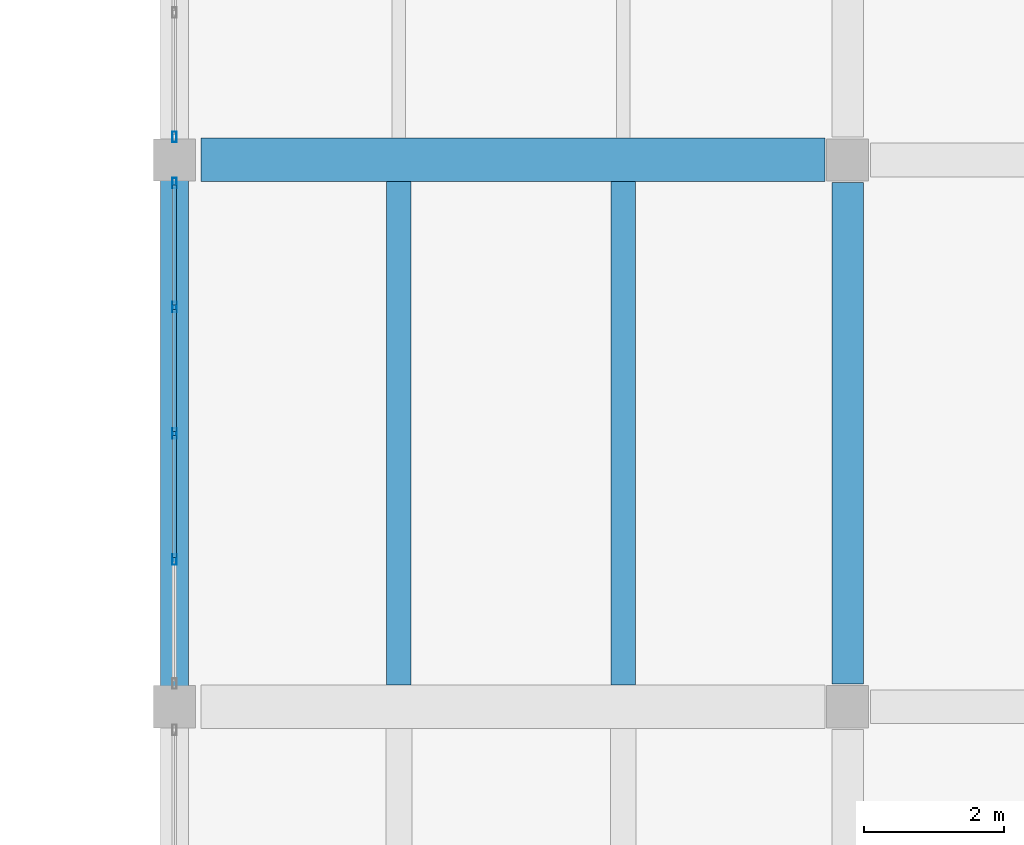
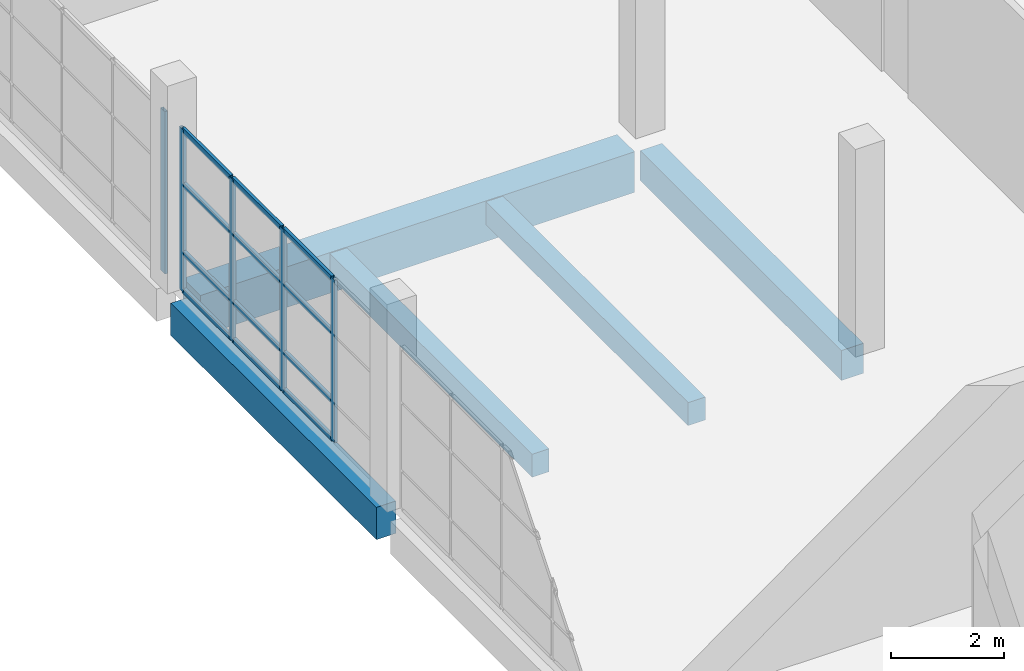
# One storey, part 27 of 71: 17 members, 5 beams, 2 elements without a shape of their own.
"""IFC4 building model written with IfcOpenShell, lengths in metres."""

from ifc_helpers import new_model, si_unit, direction, frame, origin, origin_2d, place, context, subcontext, project, spatial, rectangle, hollow_rectangle, extrude, material, material_profile, profile_set, type_object, element, aggregate, save


model = new_model("IFC4")

# Units and contexts
model_context = context("Model", 3, precision=1e-05, world=origin(), true_north=direction((0.0, 1.0)))
body_context = subcontext(model_context, "Body", "Model", "MODEL_VIEW")
ifc_project = project(units=[si_unit("LENGTHUNIT", "METRE"), si_unit("AREAUNIT", "SQUARE_METRE"), si_unit("VOLUMEUNIT", "CUBIC_METRE"), si_unit("PLANEANGLEUNIT", "RADIAN"), si_unit("MASSUNIT", "GRAM", prefix="KILO")], contexts=[model_context])

# Site, building, storey
site_placement = place(None, origin())
site = spatial("IfcSite", under=ifc_project, at=site_placement, CompositionType="ELEMENT")
building_placement = place(site_placement, origin())
building = spatial("IfcBuilding", under=site, at=building_placement, Name="Pellamere Symphony Hall", CompositionType="ELEMENT")
storey_placement = place(building_placement, frame((0.0, 0.0, 15.0)))
storey = spatial("IfcBuildingStorey", under=building, at=storey_placement, Name="L03", CompositionType="ELEMENT", Elevation=15.0)

# Curtain wall, members
ifc_material_1 = material(Name="Thermally Broken Anodised Aluminium 6063-T6 Curtain Wall", Category="aluminium")
curtain_wall_type = type_object("IfcCurtainWallType", Name="Curtain Wall CW-05 (Artists Wing North Studio Ribbon Curtain Wall)", PredefinedType="NOTDEFINED", material=ifc_material_1)
curtain_wall_1_placement = place(storey_placement, origin())
curtain_wall_1 = element("IfcCurtainWall", 1, at=curtain_wall_1_placement, inside=storey, type_object=curtain_wall_type, Name="Sculpture Court East Wing Curtain Wall (L03 Bay 2)", PredefinedType="NOTDEFINED")
ifc_material_2 = material(Name="Anodised Architectural Aluminium 6063-T6", Category="aluminium")
ifc_material_profile_1 = material_profile(ifc_material_2, hollow_rectangle(XDim=0.06005859375, YDim=0.14990234375, WallThickness=0.00390625, at=origin_2d()), Name="ALU-M60X150X4")
ifc_profile_set_1 = profile_set([ifc_material_profile_1], Name="Anodised Architectural Aluminium 6063-T6")
member_type_1 = type_object("IfcMemberType", Name="Curtain Wall Mullion ML-03 ALU-M60X150X4", PredefinedType="MULLION", material=ifc_profile_set_1)
member_1_placement = place(storey_placement, frame((138.0, 71.699951171875, 0.0), z_axis=(0.0, 0.0, 1.0), x_axis=(-1.0, 0.0, 0.0)))
member_1 = element("IfcMember", 2, at=member_1_placement, type_object=member_type_1, Name="CW5-143 crystal mullion 2", PredefinedType="MULLION", context=body_context, shape_type="SweptSolid", body=[
    extrude(hollow_rectangle(XDim=0.06005859375, YDim=0.14990234375, WallThickness=0.00390625, at=origin_2d()), origin(), (0.0, 0.0, 1.0), 3.52001953125),
])
member_2_placement = place(storey_placement, frame((138.0, 73.5, 0.0), z_axis=(0.0, 0.0, 1.0), x_axis=(-1.0, 0.0, 0.0)))
member_2 = element("IfcMember", 3, at=member_2_placement, type_object=member_type_1, Name="CW5-143 crystal mullion 3", PredefinedType="MULLION", context=body_context, shape_type="SweptSolid", body=[
    extrude(hollow_rectangle(XDim=0.06005859375, YDim=0.14990234375, WallThickness=0.00390625, at=origin_2d()), origin(), (0.0, 0.0, 1.0), 3.52001953125),
])
member_3_placement = place(storey_placement, frame((138.0, 75.300048828125, 0.0), z_axis=(0.0, 0.0, 1.0), x_axis=(-1.0, 0.0, 0.0)))
member_3 = element("IfcMember", 4, at=member_3_placement, type_object=member_type_1, Name="CW5-143 crystal mullion 4", PredefinedType="MULLION", context=body_context, shape_type="SweptSolid", body=[
    extrude(hollow_rectangle(XDim=0.06005859375, YDim=0.14990234375, WallThickness=0.00390625, at=origin_2d()), origin(), (0.0, 0.0, 1.0), 3.52001953125),
])
member_4_placement = place(storey_placement, frame((138.0, 77.070068359375, 0.0), z_axis=(0.0, 0.0, 1.0), x_axis=(-1.0, 0.0, 0.0)))
member_4 = element("IfcMember", 5, at=member_4_placement, type_object=member_type_1, Name="CW5-143 crystal mullion 5", PredefinedType="MULLION", context=body_context, shape_type="SweptSolid", body=[
    extrude(hollow_rectangle(XDim=0.06005859375, YDim=0.14990234375, WallThickness=0.00390625, at=origin_2d()), origin(), (0.0, 0.0, 1.0), 3.52001953125),
])

# Curtain wall, member
curtain_wall_2_placement = place(storey_placement, origin())
curtain_wall_2 = element("IfcCurtainWall", 6, at=curtain_wall_2_placement, inside=storey, type_object=curtain_wall_type, Name="Sculpture Court East Wing Curtain Wall (L03 Bay 3)", PredefinedType="NOTDEFINED")
member_5_placement = place(storey_placement, frame((138.0, 77.72998046875, 0.0), z_axis=(0.0, 0.0, 1.0), x_axis=(-1.0, 0.0, 0.0)))
member_5 = element("IfcMember", 7, at=member_5_placement, type_object=member_type_1, Name="CW5-144 crystal mullion 1", PredefinedType="MULLION", context=body_context, shape_type="SweptSolid", body=[
    extrude(hollow_rectangle(XDim=0.06005859375, YDim=0.14990234375, WallThickness=0.00390625, at=origin_2d()), origin(), (0.0, 0.0, 1.0), 3.52001953125),
])
aggregate(curtain_wall_2, [member_5])

# Member
ifc_material_profile_2 = material_profile(ifc_material_2, hollow_rectangle(XDim=0.06005859375, YDim=0.1201171875, WallThickness=0.00390625, at=origin_2d()), Name="ALU-T60X120X4")
ifc_profile_set_2 = profile_set([ifc_material_profile_2], Name="Anodised Architectural Aluminium 6063-T6")
member_type_2 = type_object("IfcMemberType", Name="Curtain Wall Transom TR-03 ALU-T60X120X4", PredefinedType="USERDEFINED", material=ifc_profile_set_2)
member_6_placement = place(storey_placement, frame((138.0, 71.72998046875, 0.030029296875), z_axis=(0.0, 1.0, 0.0), x_axis=(-1.0, 0.0, 0.0)))
member_6 = element("IfcMember", 8, at=member_6_placement, type_object=member_type_2, Name="CW5-143 crystal transom 2.1", ObjectType="TRANSOM", PredefinedType="USERDEFINED", context=body_context, shape_type="SweptSolid", body=[
    extrude(hollow_rectangle(XDim=0.06005859375, YDim=0.1201171875, WallThickness=0.00390625, at=origin_2d()), origin(), (0.0, 0.0, 1.0), 1.739990234375),
])

member_7_placement = place(storey_placement, frame((138.0, 71.72998046875, 0.8447265625), z_axis=(0.0, 1.0, 0.0), x_axis=(-1.0, 0.0, 0.0)))
member_7 = element("IfcMember", 9, at=member_7_placement, type_object=member_type_2, Name="CW5-143 crystal transom 2.2", ObjectType="TRANSOM", PredefinedType="USERDEFINED", context=body_context, shape_type="SweptSolid", body=[
    extrude(hollow_rectangle(XDim=0.06005859375, YDim=0.1201171875, WallThickness=0.00390625, at=origin_2d()), origin(), (0.0, 0.0, 1.0), 1.739990234375),
])

member_8_placement = place(storey_placement, frame((138.0, 71.72998046875, 2.3232421875), z_axis=(0.0, 1.0, 0.0), x_axis=(-1.0, 0.0, 0.0)))
member_8 = element("IfcMember", 10, at=member_8_placement, type_object=member_type_2, Name="CW5-143 crystal transom 2.3", ObjectType="TRANSOM", PredefinedType="USERDEFINED", context=body_context, shape_type="SweptSolid", body=[
    extrude(hollow_rectangle(XDim=0.06005859375, YDim=0.1201171875, WallThickness=0.00390625, at=origin_2d()), origin(), (0.0, 0.0, 1.0), 1.739990234375),
])

member_9_placement = place(storey_placement, frame((138.0, 71.72998046875, 3.489990234375), z_axis=(0.0, 1.0, 0.0), x_axis=(-1.0, 0.0, 0.0)))
member_9 = element("IfcMember", 11, at=member_9_placement, type_object=member_type_2, Name="CW5-143 crystal transom 2.4", ObjectType="TRANSOM", PredefinedType="USERDEFINED", context=body_context, shape_type="SweptSolid", body=[
    extrude(hollow_rectangle(XDim=0.06005859375, YDim=0.1201171875, WallThickness=0.00390625, at=origin_2d()), origin(), (0.0, 0.0, 1.0), 1.739990234375),
])

member_10_placement = place(storey_placement, frame((138.0, 73.530029296875, 0.030029296875), z_axis=(0.0, 1.0, 0.0), x_axis=(-1.0, 0.0, 0.0)))
member_10 = element("IfcMember", 12, at=member_10_placement, type_object=member_type_2, Name="CW5-143 crystal transom 3.1", ObjectType="TRANSOM", PredefinedType="USERDEFINED", context=body_context, shape_type="SweptSolid", body=[
    extrude(hollow_rectangle(XDim=0.06005859375, YDim=0.1201171875, WallThickness=0.00390625, at=origin_2d()), origin(), (0.0, 0.0, 1.0), 1.739990234375),
])

member_11_placement = place(storey_placement, frame((138.0, 73.530029296875, 0.8447265625), z_axis=(0.0, 1.0, 0.0), x_axis=(-1.0, 0.0, 0.0)))
member_11 = element("IfcMember", 13, at=member_11_placement, type_object=member_type_2, Name="CW5-143 crystal transom 3.2", ObjectType="TRANSOM", PredefinedType="USERDEFINED", context=body_context, shape_type="SweptSolid", body=[
    extrude(hollow_rectangle(XDim=0.06005859375, YDim=0.1201171875, WallThickness=0.00390625, at=origin_2d()), origin(), (0.0, 0.0, 1.0), 1.739990234375),
])

member_12_placement = place(storey_placement, frame((138.0, 73.530029296875, 2.3232421875), z_axis=(0.0, 1.0, 0.0), x_axis=(-1.0, 0.0, 0.0)))
member_12 = element("IfcMember", 14, at=member_12_placement, type_object=member_type_2, Name="CW5-143 crystal transom 3.3", ObjectType="TRANSOM", PredefinedType="USERDEFINED", context=body_context, shape_type="SweptSolid", body=[
    extrude(hollow_rectangle(XDim=0.06005859375, YDim=0.1201171875, WallThickness=0.00390625, at=origin_2d()), origin(), (0.0, 0.0, 1.0), 1.739990234375),
])

member_13_placement = place(storey_placement, frame((138.0, 73.530029296875, 3.489990234375), z_axis=(0.0, 1.0, 0.0), x_axis=(-1.0, 0.0, 0.0)))
member_13 = element("IfcMember", 15, at=member_13_placement, type_object=member_type_2, Name="CW5-143 crystal transom 3.4", ObjectType="TRANSOM", PredefinedType="USERDEFINED", context=body_context, shape_type="SweptSolid", body=[
    extrude(hollow_rectangle(XDim=0.06005859375, YDim=0.1201171875, WallThickness=0.00390625, at=origin_2d()), origin(), (0.0, 0.0, 1.0), 1.739990234375),
])

member_14_placement = place(storey_placement, frame((138.0, 75.330078125, 0.030029296875), z_axis=(0.0, 1.0, 0.0), x_axis=(-1.0, 0.0, 0.0)))
member_14 = element("IfcMember", 16, at=member_14_placement, type_object=member_type_2, Name="CW5-143 crystal transom 4.1", ObjectType="TRANSOM", PredefinedType="USERDEFINED", context=body_context, shape_type="SweptSolid", body=[
    extrude(hollow_rectangle(XDim=0.06005859375, YDim=0.1201171875, WallThickness=0.00390625, at=origin_2d()), origin(), (0.0, 0.0, 1.0), 1.7099609375),
])

member_15_placement = place(storey_placement, frame((138.0, 75.330078125, 0.8447265625), z_axis=(0.0, 1.0, 0.0), x_axis=(-1.0, 0.0, 0.0)))
member_15 = element("IfcMember", 17, at=member_15_placement, type_object=member_type_2, Name="CW5-143 crystal transom 4.2", ObjectType="TRANSOM", PredefinedType="USERDEFINED", context=body_context, shape_type="SweptSolid", body=[
    extrude(hollow_rectangle(XDim=0.06005859375, YDim=0.1201171875, WallThickness=0.00390625, at=origin_2d()), origin(), (0.0, 0.0, 1.0), 1.7099609375),
])

member_16_placement = place(storey_placement, frame((138.0, 75.330078125, 2.3232421875), z_axis=(0.0, 1.0, 0.0), x_axis=(-1.0, 0.0, 0.0)))
member_16 = element("IfcMember", 18, at=member_16_placement, type_object=member_type_2, Name="CW5-143 crystal transom 4.3", ObjectType="TRANSOM", PredefinedType="USERDEFINED", context=body_context, shape_type="SweptSolid", body=[
    extrude(hollow_rectangle(XDim=0.06005859375, YDim=0.1201171875, WallThickness=0.00390625, at=origin_2d()), origin(), (0.0, 0.0, 1.0), 1.7099609375),
])

member_17_placement = place(storey_placement, frame((138.0, 75.330078125, 3.489990234375), z_axis=(0.0, 1.0, 0.0), x_axis=(-1.0, 0.0, 0.0)))
member_17 = element("IfcMember", 19, at=member_17_placement, type_object=member_type_2, Name="CW5-143 crystal transom 4.4", ObjectType="TRANSOM", PredefinedType="USERDEFINED", context=body_context, shape_type="SweptSolid", body=[
    extrude(hollow_rectangle(XDim=0.06005859375, YDim=0.1201171875, WallThickness=0.00390625, at=origin_2d()), origin(), (0.0, 0.0, 1.0), 1.7099609375),
])

aggregate(curtain_wall_1, [member_1, member_2, member_3, member_4, member_6, member_7, member_8, member_9, member_10, member_11, member_12, member_13, member_14, member_15, member_16, member_17])

# Beams
ifc_material_3 = material(Name="Concrete 40 MPa", Category="concrete")
ifc_material_profile_3 = material_profile(ifc_material_3, rectangle(XDim=0.449951171875, YDim=0.64990234375, at=origin_2d()), Name="RC 450x650")
ifc_profile_set_3 = profile_set([ifc_material_profile_3], Name="Concrete 40 MPa")
beam_type_1 = type_object("IfcBeamType", Name="RC CB-08 450x650", PredefinedType="BEAM", material=ifc_profile_set_3)
beam_1_placement = place(storey_placement, frame((147.60009765625, 69.925048828125, -0.5849609375), z_axis=(0.0, 1.0, 0.0), x_axis=(-1.0, 0.0, 0.0)))
element("IfcBeam", 20, at=beam_1_placement, inside=storey, type_object=beam_type_1, Name="Girder CB-08-Y1685 (L03)", PredefinedType="BEAM", context=body_context, shape_type="SweptSolid", body=[
    extrude(rectangle(XDim=0.449951171875, YDim=0.64990234375, at=origin_2d()), origin(), (0.0, 0.0, 1.0), 7.14990234375),
])
ifc_material_4 = material(Name="Concrete 35 MPa", Category="concrete")
ifc_material_profile_4 = material_profile(ifc_material_4, rectangle(XDim=0.35009765625, YDim=0.5, at=origin_2d()), Name="RC 350x500")
ifc_profile_set_4 = profile_set([ifc_material_profile_4], Name="Concrete 35 MPa")
beam_type_2 = type_object("IfcBeamType", Name="RC CB-11 350x500", PredefinedType="BEAM", material=ifc_profile_set_4)
for number, where, z_axis, x_axis, name in (
    (21, (141.199951171875, 69.909912109375, -0.52490234375), (0.0, 1.0, 0.0), (-1.0, 0.0, 0.0), "Secondary Floor Beam CB-11-A1709 (L03)"),
    (22, (144.39990234375, 69.909912109375, -0.52490234375), (0.0, 1.0, 0.0), (-1.0, 0.0, 0.0), "Secondary Floor Beam CB-11-B1709 (L03)"),
):
    element("IfcBeam", number, at=place(storey_placement, frame(where, z_axis=z_axis, x_axis=x_axis)), inside=storey, type_object=beam_type_2, Name=name, PredefinedType="BEAM", context=body_context, shape_type="SweptSolid", body=[
        extrude(rectangle(XDim=0.35009765625, YDim=0.5, at=origin_2d()), origin(), (0.0, 0.0, 1.0), 7.18017578125),
    ])
ifc_material_profile_5 = material_profile(ifc_material_3, rectangle(XDim=0.39990234375, YDim=0.699951171875, at=origin_2d()), Name="RC 400x700")
ifc_profile_set_5 = profile_set([ifc_material_profile_5], Name="Concrete 40 MPa")
beam_type_3 = type_object("IfcBeamType", Name="RC CB-13 400x700", PredefinedType="SPANDREL", material=ifc_profile_set_5)
beam_2_placement = place(storey_placement, frame((138.0, 69.85009765625, -0.610107421875), z_axis=(0.0, 1.0, 0.0), x_axis=(-1.0, 0.0, 0.0)))
element("IfcBeam", 23, at=beam_2_placement, inside=storey, type_object=beam_type_3, Name="Girder CB-13-Y1676 (L03)", PredefinedType="SPANDREL", context=body_context, shape_type="SweptSolid", body=[
    extrude(rectangle(XDim=0.39990234375, YDim=0.699951171875, at=origin_2d()), origin(), (0.0, 0.0, 1.0), 7.2998046875),
])
ifc_material_profile_6 = material_profile(ifc_material_3, rectangle(XDim=0.6201171875, YDim=0.8798828125, at=origin_2d()), Name="RC 620x880")
ifc_profile_set_6 = profile_set([ifc_material_profile_6], Name="Concrete 40 MPa")
beam_type_4 = type_object("IfcBeamType", Name="RC CB-17 620x880", PredefinedType="BEAM", material=ifc_profile_set_6)
beam_3_placement = place(storey_placement, frame((138.375, 77.39990234375, -0.699951171875), z_axis=(1.0, 0.0, 0.0), x_axis=(0.0, 1.0, 0.0)))
element("IfcBeam", 24, at=beam_3_placement, inside=storey, type_object=beam_type_4, Name="Girder CB-17-X1580 (L03)", PredefinedType="BEAM", context=body_context, shape_type="SweptSolid", body=[
    extrude(rectangle(XDim=0.6201171875, YDim=0.8798828125, at=origin_2d()), origin(), (0.0, 0.0, 1.0), 8.89990234375),
])

save(model, "model.ifc")
